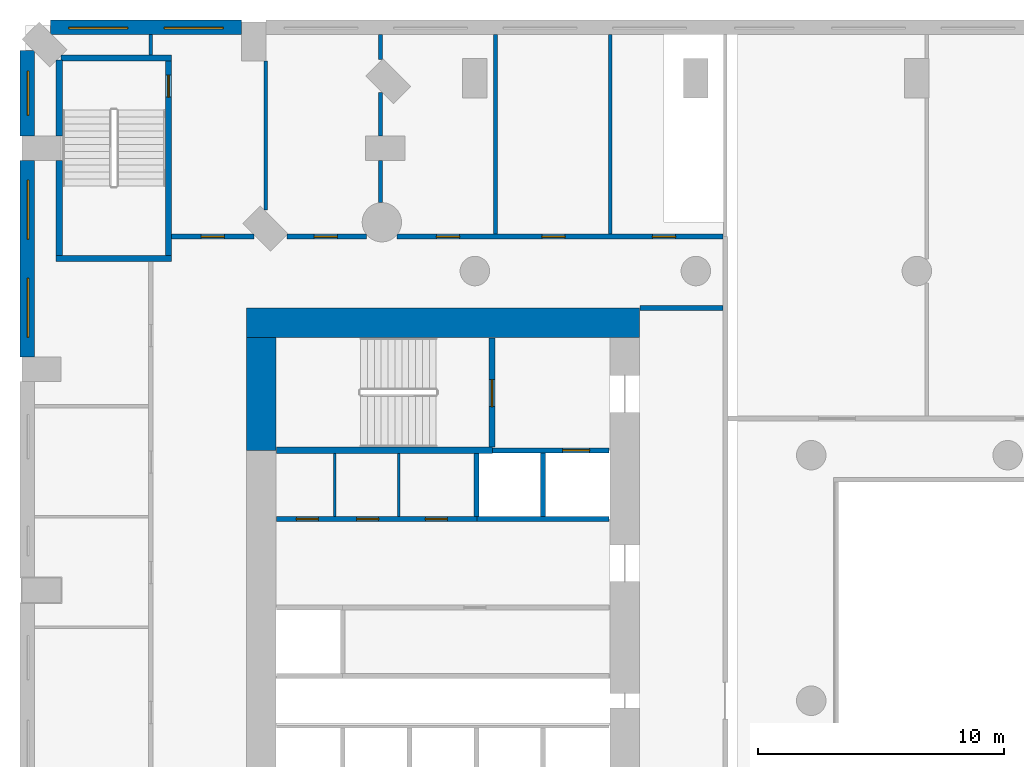
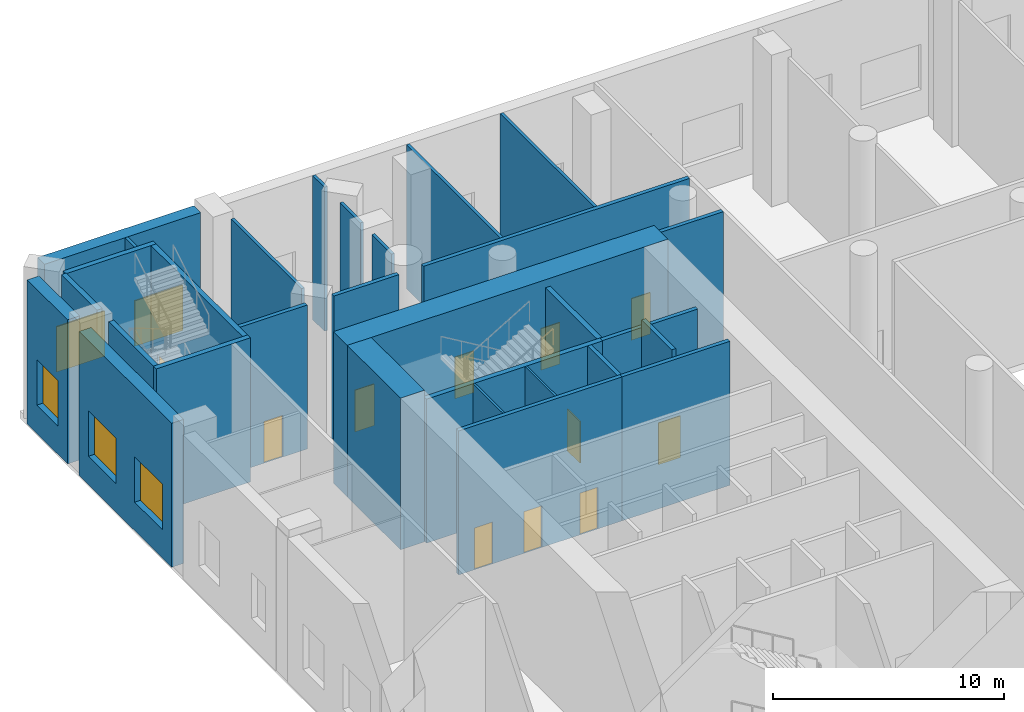
# One storey, part 6 of 18: 30 walls, 11 doors, 5 windows, 16 openings.
"""IFC4 building model written with IfcOpenShell, lengths in metres."""

from ifc_helpers import new_model, si_unit, direction, frame, frame_2d, origin, place, context, subcontext, project, spatial, rectangle, extrude, material, layer, layer_set, type_object, element, fill, save


model = new_model("IFC4")

# Units and contexts
model_context = context("Model", 3, precision=1e-05, world=origin(), true_north=direction((0.0, 1.0)))
body_context = subcontext(model_context, "Body", "Model", "MODEL_VIEW")
ifc_project = project(units=[si_unit("LENGTHUNIT", "METRE"), si_unit("AREAUNIT", "SQUARE_METRE"), si_unit("VOLUMEUNIT", "CUBIC_METRE"), si_unit("PLANEANGLEUNIT", "RADIAN"), si_unit("MASSUNIT", "GRAM", prefix="KILO")], contexts=[model_context])

# Site, building, storey
site_placement = place(None, origin())
site = spatial("IfcSite", under=ifc_project, at=site_placement, CompositionType="ELEMENT")
building_placement = place(site_placement, origin())
building = spatial("IfcBuilding", under=site, at=building_placement, Name="Cypress Arch Tower", CompositionType="ELEMENT")
storey_placement = place(building_placement, frame((0.0, 0.0, 36.0)))
storey = spatial("IfcBuildingStorey", under=building, at=storey_placement, Name="L04", CompositionType="ELEMENT", Elevation=36.0)

# Wall, openings, windows
ifc_material_1 = material(Name="Brick (red buff blend) on blockwork backing", Category="masonry")
ifc_layer_1 = layer(ifc_material_1, 0.60009765625)
ifc_layer_set_1 = layer_set([ifc_layer_1], Name="Brick base wall BW600")
wall_type_1 = type_object("IfcWallType", Name="Brick base wall BW600", PredefinedType="ELEMENTEDWALL", material=ifc_layer_set_1)
wall_1_placement = place(storey_placement, frame((-30.199951171875, 27.425048828125, 0.0), z_axis=(0.0, 0.0, 1.0), x_axis=(-1.0, 0.0, 0.0)))
wall_1 = element("IfcWall", 1, at=wall_1_placement, inside=storey, type_object=wall_type_1, Name="Brick wall L04 P03.6", PredefinedType="ELEMENTEDWALL", context=body_context, shape_type="SweptSolid", body=[
    extrude(rectangle(XDim=7.79296875, YDim=0.60009765625, at=frame_2d((3.896484375, 0.0))), origin(), (0.0, 0.0, 1.0), 7.60009765625),
])
opening_1_placement = place(wall_1_placement, frame((0.748291015625, 0.0, 1.5)))
opening_1 = element("IfcOpeningElement", 2, at=opening_1_placement, cuts=wall_1, Name="Opening W240P", PredefinedType="OPENING", context=body_context, shape_type="SweptSolid", body=[
    extrude(rectangle(XDim=2.39990234375, YDim=2.39990234375, at=frame_2d((1.199951171875, 1.199951171875))), frame((0.0, 0.31005859375, 0.0), z_axis=(0.0, -1.0, 0.0), x_axis=(1.0, 0.0, 0.0)), (0.0, 0.0, 1.0), 0.6201171875),
])
opening_2_placement = place(wall_1_placement, frame((4.644775390625, 0.0, 1.5)))
opening_2 = element("IfcOpeningElement", 3, at=opening_2_placement, cuts=wall_1, Name="Opening W240P", PredefinedType="OPENING", context=body_context, shape_type="SweptSolid", body=[
    extrude(rectangle(XDim=2.39990234375, YDim=2.39990234375, at=frame_2d((1.199951171875, 1.199951171875))), frame((0.0, 0.31005859375, 0.0), z_axis=(0.0, -1.0, 0.0), x_axis=(1.0, 0.0, 0.0)), (0.0, 0.0, 1.0), 0.6201171875),
])
ifc_material_2 = material(Name="Anodised aluminium, bronze finish, clear low-emissivity double glazing", Category="aluminium")
window_type_1 = type_object("IfcWindowType", Name="Window Podium 2400x2400", PartitioningType="SINGLE_PANEL", PredefinedType="WINDOW", material=ifc_material_2)
window_1_placement = place(opening_1_placement, origin())
window_1 = element("IfcWindow", 4, at=window_1_placement, inside=storey, type_object=window_type_1, Name="Window L04 P03.6.1", OverallHeight=2.39990234375, OverallWidth=2.39990234375, PartitioningType="SINGLE_PANEL", PredefinedType="WINDOW", context=body_context, shape_type="SweptSolid", body=[
    extrude(rectangle(XDim=2.39990234375, YDim=2.39990234375, at=frame_2d((1.199951171875, 1.199951171875))), frame((0.0, 0.06005859375, 0.0), z_axis=(0.0, -1.0, 0.0), x_axis=(1.0, 0.0, 0.0)), (0.0, 0.0, 1.0), 0.06005859375),
])
fill(opening_1, window_1)
window_2_placement = place(opening_2_placement, origin())
window_2 = element("IfcWindow", 5, at=window_2_placement, inside=storey, type_object=window_type_1, Name="Window L04 P03.6.2", OverallHeight=2.39990234375, OverallWidth=2.39990234375, PartitioningType="SINGLE_PANEL", PredefinedType="WINDOW", context=body_context, shape_type="SweptSolid", body=[
    extrude(rectangle(XDim=2.39990234375, YDim=2.39990234375, at=frame_2d((1.199951171875, 1.199951171875))), frame((0.0, 0.06005859375, 0.0), z_axis=(0.0, -1.0, 0.0), x_axis=(1.0, 0.0, 0.0)), (0.0, 0.0, 1.0), 0.06005859375),
])
fill(opening_2, window_2)

# Wall, opening, window
wall_2_placement = place(storey_placement, frame((-38.925048828125, 26.492919921875, 0.0), z_axis=(0.0, 0.0, 1.0), x_axis=(0.0, -1.0, 0.0)))
wall_2 = element("IfcWall", 6, at=wall_2_placement, inside=storey, type_object=wall_type_1, Name="Brick wall L04 P04.0", PredefinedType="ELEMENTEDWALL", context=body_context, shape_type="SweptSolid", body=[
    extrude(rectangle(XDim=3.492919921875, YDim=0.60009765625, at=frame_2d((1.74658203125, 0.0))), origin(), (0.0, 0.0, 1.0), 7.60009765625),
])
opening_3_placement = place(wall_2_placement, frame((0.846435546875, 0.0, 1.5)))
opening_3 = element("IfcOpeningElement", 7, at=opening_3_placement, cuts=wall_2, Name="Opening W180P", PredefinedType="OPENING", context=body_context, shape_type="SweptSolid", body=[
    extrude(rectangle(XDim=1.800048828125, YDim=2.39990234375, at=frame_2d((0.89990234375, 1.199951171875))), frame((0.0, 0.31005859375, 0.0), z_axis=(0.0, -1.0, 0.0), x_axis=(1.0, 0.0, 0.0)), (0.0, 0.0, 1.0), 0.6201171875),
])
ifc_material_3 = material(Name="Anodised aluminium, bronze finish, clear low-emissivity double glazing", Category="aluminium")
window_type_2 = type_object("IfcWindowType", Name="Window Podium 1800x2400", PartitioningType="SINGLE_PANEL", PredefinedType="WINDOW", material=ifc_material_3)
window_3_placement = place(opening_3_placement, origin())
window_3 = element("IfcWindow", 8, at=window_3_placement, inside=storey, type_object=window_type_2, Name="Window L04 P04.0.1", OverallHeight=2.39990234375, OverallWidth=1.800048828125, PartitioningType="SINGLE_PANEL", PredefinedType="WINDOW", context=body_context, shape_type="SweptSolid", body=[
    extrude(rectangle(XDim=1.800048828125, YDim=2.39990234375, at=frame_2d((0.89990234375, 1.199951171875))), frame((0.0, 0.06005859375, 0.0), z_axis=(0.0, -1.0, 0.0), x_axis=(1.0, 0.0, 0.0)), (0.0, 0.0, 1.0), 0.06005859375),
])
fill(opening_3, window_3)

# Wall, openings, windows
wall_3_placement = place(storey_placement, frame((-38.925048828125, 22.0, 0.0), z_axis=(0.0, 0.0, 1.0), x_axis=(0.0, -1.0, 0.0)))
wall_3 = element("IfcWall", 9, at=wall_3_placement, inside=storey, type_object=wall_type_1, Name="Brick wall L04 P04.1", PredefinedType="ELEMENTEDWALL", context=body_context, shape_type="SweptSolid", body=[
    extrude(rectangle(XDim=8.0, YDim=0.60009765625, at=frame_2d((4.0, 0.0))), origin(), (0.0, 0.0, 1.0), 7.60009765625),
])
opening_4_placement = place(wall_3_placement, frame((0.800048828125, 0.0, 1.5)))
opening_4 = element("IfcOpeningElement", 10, at=opening_4_placement, cuts=wall_3, Name="Opening W240P", PredefinedType="OPENING", context=body_context, shape_type="SweptSolid", body=[
    extrude(rectangle(XDim=2.39990234375, YDim=2.39990234375, at=frame_2d((1.199951171875, 1.199951171875))), frame((0.0, 0.31005859375, 0.0), z_axis=(0.0, -1.0, 0.0), x_axis=(1.0, 0.0, 0.0)), (0.0, 0.0, 1.0), 0.6201171875),
])
opening_5_placement = place(wall_3_placement, frame((4.800048828125, 0.0, 1.5)))
opening_5 = element("IfcOpeningElement", 11, at=opening_5_placement, cuts=wall_3, Name="Opening W240P", PredefinedType="OPENING", context=body_context, shape_type="SweptSolid", body=[
    extrude(rectangle(XDim=2.39990234375, YDim=2.39990234375, at=frame_2d((1.199951171875, 1.199951171875))), frame((0.0, 0.31005859375, 0.0), z_axis=(0.0, -1.0, 0.0), x_axis=(1.0, 0.0, 0.0)), (0.0, 0.0, 1.0), 0.6201171875),
])
window_4_placement = place(opening_4_placement, origin())
window_4 = element("IfcWindow", 12, at=window_4_placement, inside=storey, type_object=window_type_1, Name="Window L04 P04.1.1", OverallHeight=2.39990234375, OverallWidth=2.39990234375, PartitioningType="SINGLE_PANEL", PredefinedType="WINDOW", context=body_context, shape_type="SweptSolid", body=[
    extrude(rectangle(XDim=2.39990234375, YDim=2.39990234375, at=frame_2d((1.199951171875, 1.199951171875))), frame((0.0, 0.06005859375, 0.0), z_axis=(0.0, -1.0, 0.0), x_axis=(1.0, 0.0, 0.0)), (0.0, 0.0, 1.0), 0.06005859375),
])
fill(opening_4, window_4)
window_5_placement = place(opening_5_placement, origin())
window_5 = element("IfcWindow", 13, at=window_5_placement, inside=storey, type_object=window_type_1, Name="Window L04 P04.1.2", OverallHeight=2.39990234375, OverallWidth=2.39990234375, PartitioningType="SINGLE_PANEL", PredefinedType="WINDOW", context=body_context, shape_type="SweptSolid", body=[
    extrude(rectangle(XDim=2.39990234375, YDim=2.39990234375, at=frame_2d((1.199951171875, 1.199951171875))), frame((0.0, 0.06005859375, 0.0), z_axis=(0.0, -1.0, 0.0), x_axis=(1.0, 0.0, 0.0)), (0.0, 0.0, 1.0), 0.06005859375),
])
fill(opening_5, window_5)

# Walls
ifc_material_4 = material(Name="Concrete C80/95", Category="concrete")
ifc_layer_2 = layer(ifc_material_4, 1.199951171875)
ifc_layer_set_2 = layer_set([ifc_layer_2], Name="Core wall CW1200 C80/95")
wall_type_2 = type_object("IfcWallType", Name="Core wall CW1200 C80/95", PredefinedType="SHEAR", material=ifc_layer_set_2)
wall_4_placement = place(storey_placement, frame((-30.0, 15.39990234375, 0.0), z_axis=(0.0, 0.0, 1.0), x_axis=(1.0, 0.0, 0.0)))
element("IfcWall", 14, at=wall_4_placement, inside=storey, type_object=wall_type_2, Name="Core wall", PredefinedType="SHEAR", context=body_context, shape_type="SweptSolid", body=[
    extrude(rectangle(XDim=16.0, YDim=1.199951171875, at=frame_2d((8.0, 0.0))), origin(), (0.0, 0.0, 1.0), 8.0),
])
wall_5_placement = place(storey_placement, frame((-29.39990234375, 10.199951171875, 0.0), z_axis=(0.0, 0.0, 1.0), x_axis=(0.0, 1.0, 0.0)))
element("IfcWall", 15, at=wall_5_placement, inside=storey, type_object=wall_type_2, Name="Core wall", PredefinedType="SHEAR", context=body_context, shape_type="SweptSolid", body=[
    extrude(rectangle(XDim=4.60009765625, YDim=1.199951171875, at=frame_2d((2.300048828125, 0.0))), origin(), (0.0, 0.0, 1.0), 8.0),
])

# Wall, opening, door
ifc_material_5 = material(Name="Concrete blockwork, plastered, rated", Category="masonry")
ifc_layer_3 = layer(ifc_material_5, 0.199951171875)
ifc_layer_set_3 = layer_set([ifc_layer_3], Name="Corridor wall FW200")
wall_type_3 = type_object("IfcWallType", Name="Corridor wall FW200", PredefinedType="PARTITIONING", material=ifc_layer_set_3)
wall_6_placement = place(storey_placement, frame((-33.050048828125, 18.89990234375, 0.0), z_axis=(0.0, 0.0, 1.0), x_axis=(1.0, 0.0, 0.0)))
wall_6 = element("IfcWall", 16, at=wall_6_placement, inside=storey, type_object=wall_type_3, Name="Corridor wall", PredefinedType="PARTITIONING", context=body_context, shape_type="SweptSolid", body=[
    extrude(rectangle(XDim=3.363037109375, YDim=0.199951171875, at=frame_2d((1.681640625, 0.0))), origin(), (0.0, 0.0, 1.0), 7.597900390625),
])
opening_6_placement = place(wall_6_placement, frame((1.199951171875, 0.0, 0.0)))
opening_6 = element("IfcOpeningElement", 17, at=opening_6_placement, cuts=wall_6, Name="Opening D02", PredefinedType="OPENING", context=body_context, shape_type="SweptSolid", body=[
    extrude(rectangle(XDim=0.949951171875, YDim=2.199951171875, at=frame_2d((0.47509765625, 1.10009765625))), frame((0.0, 0.10986328125, 0.0), z_axis=(0.0, -1.0, 0.0), x_axis=(1.0, 0.0, 0.0)), (0.0, 0.0, 1.0), 0.219970703125),
])
ifc_material_6 = material(Name="Timber flush door, fire resisting", Category="wood")
door_type_1 = type_object("IfcDoorType", Name="Room door D02 950x2200", OperationType="SINGLE_SWING_LEFT", PredefinedType="DOOR", material=ifc_material_6)
door_1_placement = place(opening_6_placement, origin())
door_1 = element("IfcDoor", 18, at=door_1_placement, inside=storey, type_object=door_type_1, Name="Room door", OperationType="SINGLE_SWING_RIGHT", OverallHeight=2.199951171875, OverallWidth=0.949951171875, PredefinedType="DOOR", context=body_context, shape_type="SweptSolid", body=[
    extrude(rectangle(XDim=0.949951171875, YDim=2.199951171875, at=frame_2d((0.47509765625, 1.10009765625))), frame((0.0, 0.02490234375, 0.0), z_axis=(0.0, -1.0, 0.0), x_axis=(1.0, 0.0, 0.0)), (0.0, 0.0, 1.0), 0.050048828125),
])
fill(opening_6, door_1)

wall_7_placement = place(storey_placement, frame((-28.35009765625, 18.89990234375, 0.0), z_axis=(0.0, 0.0, 1.0), x_axis=(1.0, 0.0, 0.0)))
wall_7 = element("IfcWall", 19, at=wall_7_placement, inside=storey, type_object=wall_type_3, Name="Corridor wall", PredefinedType="PARTITIONING", context=body_context, shape_type="SweptSolid", body=[
    extrude(rectangle(XDim=3.24365234375, YDim=0.199951171875, at=frame_2d((1.621826171875, 0.0))), origin(), (0.0, 0.0, 1.0), 7.597900390625),
])
opening_7_placement = place(wall_7_placement, frame((1.10009765625, 0.0, 0.0)))
opening_7 = element("IfcOpeningElement", 20, at=opening_7_placement, cuts=wall_7, Name="Opening D02", PredefinedType="OPENING", context=body_context, shape_type="SweptSolid", body=[
    extrude(rectangle(XDim=0.949951171875, YDim=2.199951171875, at=frame_2d((0.47509765625, 1.10009765625))), frame((0.0, 0.10986328125, 0.0), z_axis=(0.0, -1.0, 0.0), x_axis=(1.0, 0.0, 0.0)), (0.0, 0.0, 1.0), 0.219970703125),
])
door_2_placement = place(opening_7_placement, origin())
door_2 = element("IfcDoor", 21, at=door_2_placement, inside=storey, type_object=door_type_1, Name="Room door", OperationType="SINGLE_SWING_RIGHT", OverallHeight=2.199951171875, OverallWidth=0.949951171875, PredefinedType="DOOR", context=body_context, shape_type="SweptSolid", body=[
    extrude(rectangle(XDim=0.949951171875, YDim=2.199951171875, at=frame_2d((0.47509765625, 1.10009765625))), frame((0.0, 0.02490234375, 0.0), z_axis=(0.0, -1.0, 0.0), x_axis=(1.0, 0.0, 0.0)), (0.0, 0.0, 1.0), 0.050048828125),
])
fill(opening_7, door_2)

# Wall, openings, doors
wall_8_placement = place(storey_placement, frame((-23.869140625, 18.89990234375, 0.0), z_axis=(0.0, 0.0, 1.0), x_axis=(1.0, 0.0, 0.0)))
wall_8 = element("IfcWall", 22, at=wall_8_placement, inside=storey, type_object=wall_type_3, Name="Corridor wall", PredefinedType="PARTITIONING", context=body_context, shape_type="SweptSolid", body=[
    extrude(rectangle(XDim=13.26904296875, YDim=0.199951171875, at=frame_2d((6.634521484375, 0.0))), origin(), (0.0, 0.0, 1.0), 7.597900390625),
])
opening_8_placement = place(wall_8_placement, frame((1.60009765625, 0.0, 0.0)))
opening_8 = element("IfcOpeningElement", 23, at=opening_8_placement, cuts=wall_8, Name="Opening D02", PredefinedType="OPENING", context=body_context, shape_type="SweptSolid", body=[
    extrude(rectangle(XDim=0.949951171875, YDim=2.199951171875, at=frame_2d((0.47509765625, 1.10009765625))), frame((0.0, 0.10986328125, 0.0), z_axis=(0.0, -1.0, 0.0), x_axis=(1.0, 0.0, 0.0)), (0.0, 0.0, 1.0), 0.219970703125),
])
opening_9_placement = place(wall_8_placement, frame((5.89990234375, 0.0, 0.0)))
opening_9 = element("IfcOpeningElement", 24, at=opening_9_placement, cuts=wall_8, Name="Opening D02", PredefinedType="OPENING", context=body_context, shape_type="SweptSolid", body=[
    extrude(rectangle(XDim=0.949951171875, YDim=2.199951171875, at=frame_2d((0.47509765625, 1.10009765625))), frame((0.0, 0.10986328125, 0.0), z_axis=(0.0, -1.0, 0.0), x_axis=(1.0, 0.0, 0.0)), (0.0, 0.0, 1.0), 0.219970703125),
])
opening_10_placement = place(wall_8_placement, frame((10.39990234375, 0.0, 0.0)))
opening_10 = element("IfcOpeningElement", 25, at=opening_10_placement, cuts=wall_8, Name="Opening D02", PredefinedType="OPENING", context=body_context, shape_type="SweptSolid", body=[
    extrude(rectangle(XDim=0.949951171875, YDim=2.199951171875, at=frame_2d((0.47509765625, 1.10009765625))), frame((0.0, 0.10986328125, 0.0), z_axis=(0.0, -1.0, 0.0), x_axis=(1.0, 0.0, 0.0)), (0.0, 0.0, 1.0), 0.219970703125),
])
door_3_placement = place(opening_8_placement, origin())
door_3 = element("IfcDoor", 26, at=door_3_placement, inside=storey, type_object=door_type_1, Name="Room door", OperationType="SINGLE_SWING_RIGHT", OverallHeight=2.199951171875, OverallWidth=0.949951171875, PredefinedType="DOOR", context=body_context, shape_type="SweptSolid", body=[
    extrude(rectangle(XDim=0.949951171875, YDim=2.199951171875, at=frame_2d((0.47509765625, 1.10009765625))), frame((0.0, 0.02490234375, 0.0), z_axis=(0.0, -1.0, 0.0), x_axis=(1.0, 0.0, 0.0)), (0.0, 0.0, 1.0), 0.050048828125),
])
fill(opening_8, door_3)
door_4_placement = place(opening_9_placement, origin())
door_4 = element("IfcDoor", 27, at=door_4_placement, inside=storey, type_object=door_type_1, Name="Room door", OperationType="SINGLE_SWING_RIGHT", OverallHeight=2.199951171875, OverallWidth=0.949951171875, PredefinedType="DOOR", context=body_context, shape_type="SweptSolid", body=[
    extrude(rectangle(XDim=0.949951171875, YDim=2.199951171875, at=frame_2d((0.47509765625, 1.10009765625))), frame((0.0, 0.02490234375, 0.0), z_axis=(0.0, -1.0, 0.0), x_axis=(1.0, 0.0, 0.0)), (0.0, 0.0, 1.0), 0.050048828125),
])
fill(opening_9, door_4)
door_5_placement = place(opening_10_placement, origin())
door_5 = element("IfcDoor", 28, at=door_5_placement, inside=storey, type_object=door_type_1, Name="Room door", OperationType="SINGLE_SWING_LEFT", OverallHeight=2.199951171875, OverallWidth=0.949951171875, PredefinedType="DOOR", context=body_context, shape_type="SweptSolid", body=[
    extrude(rectangle(XDim=0.949951171875, YDim=2.199951171875, at=frame_2d((0.47509765625, 1.10009765625))), frame((0.0, 0.02490234375, 0.0), z_axis=(0.0, -1.0, 0.0), x_axis=(1.0, 0.0, 0.0)), (0.0, 0.0, 1.0), 0.050048828125),
])
fill(opening_10, door_5)

wall_9_placement = place(storey_placement, frame((-28.77001953125, 7.39990234375, 0.0), z_axis=(0.0, 0.0, 1.0), x_axis=(1.0, 0.0, 0.0)))
wall_9 = element("IfcWall", 29, at=wall_9_placement, inside=storey, type_object=wall_type_3, Name="Corridor wall", PredefinedType="PARTITIONING", context=body_context, shape_type="SweptSolid", body=[
    extrude(rectangle(XDim=8.14990234375, YDim=0.199951171875, at=frame_2d((4.074951171875, 0.0))), origin(), (0.0, 0.0, 1.0), 7.597900390625),
])
opening_11_placement = place(wall_9_placement, frame((0.800048828125, 0.0, 0.0)))
opening_11 = element("IfcOpeningElement", 30, at=opening_11_placement, cuts=wall_9, Name="Opening D05", PredefinedType="OPENING", context=body_context, shape_type="SweptSolid", body=[
    extrude(rectangle(XDim=0.89990234375, YDim=2.199951171875, at=frame_2d((0.449951171875, 1.10009765625))), frame((0.0, 0.10986328125, 0.0), z_axis=(0.0, -1.0, 0.0), x_axis=(1.0, 0.0, 0.0)), (0.0, 0.0, 1.0), 0.219970703125),
])
opening_12_placement = place(wall_9_placement, frame((3.25, 0.0, 0.0)))
opening_12 = element("IfcOpeningElement", 31, at=opening_12_placement, cuts=wall_9, Name="Opening D05", PredefinedType="OPENING", context=body_context, shape_type="SweptSolid", body=[
    extrude(rectangle(XDim=0.89990234375, YDim=2.199951171875, at=frame_2d((0.449951171875, 1.10009765625))), frame((0.0, 0.10986328125, 0.0), z_axis=(0.0, -1.0, 0.0), x_axis=(1.0, 0.0, 0.0)), (0.0, 0.0, 1.0), 0.219970703125),
])
opening_13_placement = place(wall_9_placement, frame((6.050048828125, 0.0, 0.0)))
opening_13 = element("IfcOpeningElement", 32, at=opening_13_placement, cuts=wall_9, Name="Opening D05", PredefinedType="OPENING", context=body_context, shape_type="SweptSolid", body=[
    extrude(rectangle(XDim=0.89990234375, YDim=2.199951171875, at=frame_2d((0.449951171875, 1.10009765625))), frame((0.0, 0.10986328125, 0.0), z_axis=(0.0, -1.0, 0.0), x_axis=(1.0, 0.0, 0.0)), (0.0, 0.0, 1.0), 0.219970703125),
])
ifc_material_7 = material(Name="Timber flush door", Category="wood")
door_type_2 = type_object("IfcDoorType", Name="Service door D05 900x2200", OperationType="SINGLE_SWING_LEFT", PredefinedType="DOOR", material=ifc_material_7)
door_6_placement = place(opening_11_placement, origin())
door_6 = element("IfcDoor", 33, at=door_6_placement, inside=storey, type_object=door_type_2, Name="Service door", OperationType="SINGLE_SWING_RIGHT", OverallHeight=2.199951171875, OverallWidth=0.89990234375, PredefinedType="DOOR", context=body_context, shape_type="SweptSolid", body=[
    extrude(rectangle(XDim=0.89990234375, YDim=2.199951171875, at=frame_2d((0.449951171875, 1.10009765625))), frame((0.0, 0.02490234375, 0.0), z_axis=(0.0, -1.0, 0.0), x_axis=(1.0, 0.0, 0.0)), (0.0, 0.0, 1.0), 0.050048828125),
])
fill(opening_11, door_6)
door_7_placement = place(opening_12_placement, origin())
door_7 = element("IfcDoor", 34, at=door_7_placement, inside=storey, type_object=door_type_2, Name="Service door", OperationType="SINGLE_SWING_RIGHT", OverallHeight=2.199951171875, OverallWidth=0.89990234375, PredefinedType="DOOR", context=body_context, shape_type="SweptSolid", body=[
    extrude(rectangle(XDim=0.89990234375, YDim=2.199951171875, at=frame_2d((0.449951171875, 1.10009765625))), frame((0.0, 0.02490234375, 0.0), z_axis=(0.0, -1.0, 0.0), x_axis=(1.0, 0.0, 0.0)), (0.0, 0.0, 1.0), 0.050048828125),
])
fill(opening_12, door_7)
door_8_placement = place(opening_13_placement, origin())
door_8 = element("IfcDoor", 35, at=door_8_placement, inside=storey, type_object=door_type_2, Name="Service door", OperationType="SINGLE_SWING_LEFT", OverallHeight=2.199951171875, OverallWidth=0.89990234375, PredefinedType="DOOR", context=body_context, shape_type="SweptSolid", body=[
    extrude(rectangle(XDim=0.89990234375, YDim=2.199951171875, at=frame_2d((0.449951171875, 1.10009765625))), frame((0.0, 0.02490234375, 0.0), z_axis=(0.0, -1.0, 0.0), x_axis=(1.0, 0.0, 0.0)), (0.0, 0.0, 1.0), 0.050048828125),
])
fill(opening_13, door_8)

# Walls
wall_10_placement = place(storey_placement, frame((-13.969970703125, 16.0, 0.0), z_axis=(0.0, 0.0, 1.0), x_axis=(1.0, 0.0, 0.0)))
element("IfcWall", 36, at=wall_10_placement, inside=storey, type_object=wall_type_3, Name="Corridor wall", PredefinedType="PARTITIONING", context=body_context, shape_type="SweptSolid", body=[
    extrude(rectangle(XDim=3.369873046875, YDim=0.199951171875, at=frame_2d((1.68505859375, 0.0))), origin(), (0.0, 0.0, 1.0), 7.597900390625),
])
ifc_material_8 = material(Name="Blockwork, plastered both sides", Category="masonry")
ifc_layer_4 = layer(ifc_material_8, 0.14990234375)
ifc_layer_set_4 = layer_set([ifc_layer_4], Name="Partition PW150")
wall_type_4 = type_object("IfcWallType", Name="Partition PW150", PredefinedType="PARTITIONING", material=ifc_layer_set_4)
wall_11_placement = place(storey_placement, frame((-33.89990234375, 26.300048828125, 0.0), z_axis=(0.0, 0.0, 1.0), x_axis=(0.0, 1.0, 0.0)))
element("IfcWall", 37, at=wall_11_placement, inside=storey, type_object=wall_type_4, Name="Partition", PredefinedType="PARTITIONING", context=body_context, shape_type="SweptSolid", body=[
    extrude(rectangle(XDim=0.824951171875, YDim=0.14990234375, at=frame_2d((0.41259765625, 0.0))), origin(), (0.0, 0.0, 1.0), 7.597900390625),
])
wall_12_placement = place(storey_placement, frame((-29.219970703125, 19.987060546875, 0.0), z_axis=(0.0, 0.0, 1.0), x_axis=(0.0, 1.0, 0.0)))
element("IfcWall", 38, at=wall_12_placement, inside=storey, type_object=wall_type_4, Name="Partition", PredefinedType="PARTITIONING", context=body_context, shape_type="SweptSolid", body=[
    extrude(rectangle(XDim=6.06298828125, YDim=0.14990234375, at=frame_2d((3.031494140625, 0.0))), origin(), (0.0, 0.0, 1.0), 7.597900390625),
])
wall_13_placement = place(storey_placement, frame((-24.5400390625, 20.292724609375, 0.0), z_axis=(0.0, 0.0, 1.0), x_axis=(0.0, 1.0, 0.0)))
element("IfcWall", 39, at=wall_13_placement, inside=storey, type_object=wall_type_4, Name="Partition", PredefinedType="PARTITIONING", context=body_context, shape_type="SweptSolid", body=[
    extrude(rectangle(XDim=1.707275390625, YDim=0.14990234375, at=frame_2d((0.853515625, 0.0))), origin(), (0.0, 0.0, 1.0), 7.597900390625),
])
wall_14_placement = place(storey_placement, frame((-24.5400390625, 23.0, 0.0), z_axis=(0.0, 0.0, 1.0), x_axis=(0.0, 1.0, 0.0)))
element("IfcWall", 40, at=wall_14_placement, inside=storey, type_object=wall_type_4, Name="Partition", PredefinedType="PARTITIONING", context=body_context, shape_type="SweptSolid", body=[
    extrude(rectangle(XDim=1.77294921875, YDim=0.14990234375, at=frame_2d((0.886474609375, 0.0))), origin(), (0.0, 0.0, 1.0), 7.597900390625),
])
wall_15_placement = place(storey_placement, frame((-24.5400390625, 26.11279296875, 0.0), z_axis=(0.0, 0.0, 1.0), x_axis=(0.0, 1.0, 0.0)))
element("IfcWall", 41, at=wall_15_placement, inside=storey, type_object=wall_type_4, Name="Partition", PredefinedType="PARTITIONING", context=body_context, shape_type="SweptSolid", body=[
    extrude(rectangle(XDim=1.01220703125, YDim=0.14990234375, at=frame_2d((0.506103515625, 0.0))), origin(), (0.0, 0.0, 1.0), 7.597900390625),
])
for number, where, z_axis, x_axis, name in (
    (42, (-19.860107421875, 19.0, 0.0), (0.0, 0.0, 1.0), (0.0, 1.0, 0.0), "Partition"),
    (43, (-15.179931640625, 19.0, 0.0), (0.0, 0.0, 1.0), (0.0, 1.0, 0.0), "Partition"),
):
    element("IfcWall", number, at=place(storey_placement, frame(where, z_axis=z_axis, x_axis=x_axis)), inside=storey, type_object=wall_type_4, Name=name, PredefinedType="PARTITIONING", context=body_context, shape_type="SweptSolid", body=[
        extrude(rectangle(XDim=8.125, YDim=0.14990234375, at=frame_2d((4.0625, 0.0))), origin(), (0.0, 0.0, 1.0), 7.597900390625),
    ])
ifc_material_9 = material(Name="Concrete C50/60", Category="concrete")
ifc_layer_5 = layer(ifc_material_9, 0.199951171875)
ifc_layer_set_5 = layer_set([ifc_layer_5], Name="Shaft wall SH200")
wall_type_5 = type_object("IfcWallType", Name="Shaft wall SH200", PredefinedType="SHEAR", material=ifc_layer_set_5)
wall_16_placement = place(storey_placement, frame((-20.639892578125, 7.5, 0.0), z_axis=(0.0, 0.0, 1.0), x_axis=(0.0, 1.0, 0.0)))
element("IfcWall", 44, at=wall_16_placement, inside=storey, type_object=wall_type_5, Name="Shaft wall", PredefinedType="SHEAR", context=body_context, shape_type="SweptSolid", body=[
    extrude(rectangle(XDim=2.574951171875, YDim=0.199951171875, at=frame_2d((1.28759765625, 0.0))), origin(), (0.0, 0.0, 1.0), 7.597900390625),
])
wall_17_placement = place(storey_placement, frame((-20.6201171875, 7.39990234375, 0.0), z_axis=(0.0, 0.0, 1.0), x_axis=(1.0, 0.0, 0.0)))
element("IfcWall", 45, at=wall_17_placement, inside=storey, type_object=wall_type_5, Name="Shaft wall", PredefinedType="SHEAR", context=body_context, shape_type="SweptSolid", body=[
    extrude(rectangle(XDim=5.39013671875, YDim=0.199951171875, at=frame_2d((2.695068359375, 0.0))), origin(), (0.0, 0.0, 1.0), 7.597900390625),
])

# Wall, opening, door
wall_18_placement = place(storey_placement, frame((-19.97998046875, 10.199951171875, 0.0), z_axis=(0.0, 0.0, 1.0), x_axis=(1.0, 0.0, 0.0)))
wall_18 = element("IfcWall", 46, at=wall_18_placement, inside=storey, type_object=wall_type_5, Name="Shaft wall", PredefinedType="SHEAR", context=body_context, shape_type="SweptSolid", body=[
    extrude(rectangle(XDim=4.75, YDim=0.199951171875, at=frame_2d((2.375, 0.0))), origin(), (0.0, 0.0, 1.0), 7.597900390625),
])
opening_14_placement = place(wall_18_placement, frame((2.85009765625, 0.0, 0.0)))
opening_14 = element("IfcOpeningElement", 47, at=opening_14_placement, cuts=wall_18, Name="Opening LD-FL2", PredefinedType="OPENING", context=body_context, shape_type="SweptSolid", body=[
    extrude(rectangle(XDim=1.10009765625, YDim=2.199951171875, at=frame_2d((0.550048828125, 1.10009765625))), frame((0.0, 0.10986328125, 0.0), z_axis=(0.0, -1.0, 0.0), x_axis=(1.0, 0.0, 0.0)), (0.0, 0.0, 1.0), 0.219970703125),
])
ifc_material_10 = material(Name="Stainless steel centre-opening landing door, rated", Category="steel")
door_type_3 = type_object("IfcDoorType", Name="Lift landing door LD 1100x2200", OperationType="DOUBLE_DOOR_SLIDING", PredefinedType="DOOR", material=ifc_material_10)
door_9_placement = place(opening_14_placement, origin())
door_9 = element("IfcDoor", 48, at=door_9_placement, inside=storey, type_object=door_type_3, Name="Lift landing doors FL2", OperationType="DOUBLE_DOOR_SLIDING", OverallHeight=2.199951171875, OverallWidth=1.10009765625, PredefinedType="DOOR", context=body_context, shape_type="SweptSolid", body=[
    extrude(rectangle(XDim=1.10009765625, YDim=2.199951171875, at=frame_2d((0.550048828125, 1.10009765625))), frame((0.0, 0.02490234375, 0.0), z_axis=(0.0, -1.0, 0.0), x_axis=(1.0, 0.0, 0.0)), (0.0, 0.0, 1.0), 0.050048828125),
])
fill(opening_14, door_9)

# Walls
wall_19_placement = place(storey_placement, frame((-17.919921875, 7.5, 0.0), z_axis=(0.0, 0.0, 1.0), x_axis=(0.0, 1.0, 0.0)))
element("IfcWall", 49, at=wall_19_placement, inside=storey, type_object=wall_type_5, Name="Shaft wall", PredefinedType="SHEAR", context=body_context, shape_type="SweptSolid", body=[
    extrude(rectangle(XDim=2.60009765625, YDim=0.199951171875, at=frame_2d((1.300048828125, 0.0))), origin(), (0.0, 0.0, 1.0), 8.0),
])
ifc_material_11 = material(Name="Concrete C50/60", Category="concrete")
ifc_layer_6 = layer(ifc_material_11, 0.25)
ifc_layer_set_6 = layer_set([ifc_layer_6], Name="Stair enclosure wall SW250")
wall_type_6 = type_object("IfcWallType", Name="Stair enclosure wall SW250", PredefinedType="SHEAR", material=ifc_layer_set_6)
wall_20_placement = place(storey_placement, frame((-37.625, 18.1298828125, 0.0), z_axis=(0.0, 0.0, 1.0), x_axis=(0.0, 1.0, 0.0)))
element("IfcWall", 50, at=wall_20_placement, inside=storey, type_object=wall_type_6, Name="Stair enclosure wall", PredefinedType="SHEAR", context=body_context, shape_type="SweptSolid", body=[
    extrude(rectangle(XDim=3.8701171875, YDim=0.25, at=frame_2d((1.93505859375, 0.0))), origin(), (0.0, 0.0, 1.0), 7.60009765625),
])
wall_21_placement = place(storey_placement, frame((-37.625, 23.0, 0.0), z_axis=(0.0, 0.0, 1.0), x_axis=(0.0, 1.0, 0.0)))
element("IfcWall", 51, at=wall_21_placement, inside=storey, type_object=wall_type_6, Name="Stair enclosure wall", PredefinedType="SHEAR", context=body_context, shape_type="SweptSolid", body=[
    extrude(rectangle(XDim=3.09521484375, YDim=0.25, at=frame_2d((1.547607421875, 0.0))), origin(), (0.0, 0.0, 1.0), 7.60009765625),
])
wall_22_placement = place(storey_placement, frame((-37.75, 18.0048828125, 0.0), z_axis=(0.0, 0.0, 1.0), x_axis=(1.0, 0.0, 0.0)))
element("IfcWall", 52, at=wall_22_placement, inside=storey, type_object=wall_type_6, Name="Stair enclosure wall", PredefinedType="SHEAR", context=body_context, shape_type="SweptSolid", body=[
    extrude(rectangle(XDim=4.699951171875, YDim=0.25, at=frame_2d((2.35009765625, 0.0))), origin(), (0.0, 0.0, 1.0), 7.60009765625),
])
wall_23_placement = place(storey_placement, frame((-37.545166015625, 26.175048828125, 0.0), z_axis=(0.0, 0.0, 1.0), x_axis=(1.0, 0.0, 0.0)))
element("IfcWall", 53, at=wall_23_placement, inside=storey, type_object=wall_type_6, Name="Stair enclosure wall", PredefinedType="SHEAR", context=body_context, shape_type="SweptSolid", body=[
    extrude(rectangle(XDim=4.4951171875, YDim=0.25, at=frame_2d((2.24755859375, 0.0))), origin(), (0.0, 0.0, 1.0), 7.60009765625),
])

# Wall, opening, door
wall_24_placement = place(storey_placement, frame((-33.175048828125, 18.1298828125, 0.0), z_axis=(0.0, 0.0, 1.0), x_axis=(0.0, 1.0, 0.0)))
wall_24 = element("IfcWall", 54, at=wall_24_placement, inside=storey, type_object=wall_type_6, Name="Stair enclosure wall", PredefinedType="SHEAR", context=body_context, shape_type="SweptSolid", body=[
    extrude(rectangle(XDim=7.920166015625, YDim=0.25, at=frame_2d((3.9599609375, 0.0))), origin(), (0.0, 0.0, 1.0), 7.60009765625),
])
opening_15_placement = place(wall_24_placement, frame((6.449951171875, 0.0, 0.0)))
opening_15 = element("IfcOpeningElement", 55, at=opening_15_placement, cuts=wall_24, Name="Opening D15", PredefinedType="OPENING", context=body_context, shape_type="SweptSolid", body=[
    extrude(rectangle(XDim=0.89990234375, YDim=2.199951171875, at=frame_2d((0.449951171875, 1.10009765625))), frame((0.0, 0.135009765625, 0.0), z_axis=(0.0, -1.0, 0.0), x_axis=(1.0, 0.0, 0.0)), (0.0, 0.0, 1.0), 0.27001953125),
])
ifc_material_12 = material(Name="Steel door, fire resisting, panic bar", Category="steel")
door_type_4 = type_object("IfcDoorType", Name="Stair door D15 900x2200", OperationType="SINGLE_SWING_LEFT", PredefinedType="DOOR", material=ifc_material_12)
door_10_placement = place(opening_15_placement, origin())
door_10 = element("IfcDoor", 56, at=door_10_placement, inside=storey, type_object=door_type_4, Name="Stair door", OperationType="SINGLE_SWING_RIGHT", OverallHeight=2.199951171875, OverallWidth=0.89990234375, PredefinedType="DOOR", context=body_context, shape_type="SweptSolid", body=[
    extrude(rectangle(XDim=0.89990234375, YDim=2.199951171875, at=frame_2d((0.449951171875, 1.10009765625))), frame((0.0, 0.02490234375, 0.0), z_axis=(0.0, -1.0, 0.0), x_axis=(1.0, 0.0, 0.0)), (0.0, 0.0, 1.0), 0.050048828125),
])
fill(opening_15, door_10)

# Wall
wall_25_placement = place(storey_placement, frame((-28.77001953125, 10.199951171875, 0.0), z_axis=(0.0, 0.0, 1.0), x_axis=(1.0, 0.0, 0.0)))
element("IfcWall", 57, at=wall_25_placement, inside=storey, type_object=wall_type_6, Name="Stair enclosure wall", PredefinedType="SHEAR", context=body_context, shape_type="SweptSolid", body=[
    extrude(rectangle(XDim=8.7900390625, YDim=0.25, at=frame_2d((4.39501953125, 0.0))), origin(), (0.0, 0.0, 1.0), 7.597900390625),
])

# Wall, opening, door
wall_26_placement = place(storey_placement, frame((-20.0, 10.324951171875, 0.0), z_axis=(0.0, 0.0, 1.0), x_axis=(0.0, 1.0, 0.0)))
wall_26 = element("IfcWall", 58, at=wall_26_placement, inside=storey, type_object=wall_type_6, Name="Stair enclosure wall", PredefinedType="SHEAR", context=body_context, shape_type="SweptSolid", body=[
    extrude(rectangle(XDim=4.445068359375, YDim=0.25, at=frame_2d((2.22265625, 0.0))), origin(), (0.0, 0.0, 1.0), 7.597900390625),
])
opening_16_placement = place(wall_26_placement, frame((1.64990234375, 0.0, 0.0)))
opening_16 = element("IfcOpeningElement", 59, at=opening_16_placement, cuts=wall_26, Name="Opening D06", PredefinedType="OPENING", context=body_context, shape_type="SweptSolid", body=[
    extrude(rectangle(XDim=1.10009765625, YDim=2.199951171875, at=frame_2d((0.550048828125, 1.10009765625))), frame((0.0, 0.135009765625, 0.0), z_axis=(0.0, -1.0, 0.0), x_axis=(1.0, 0.0, 0.0)), (0.0, 0.0, 1.0), 0.27001953125),
])
ifc_material_13 = material(Name="Steel door, fire resisting, panic bar", Category="steel")
door_type_5 = type_object("IfcDoorType", Name="Stair door D06 1100x2200", OperationType="SINGLE_SWING_LEFT", PredefinedType="DOOR", material=ifc_material_13)
door_11_placement = place(opening_16_placement, origin())
door_11 = element("IfcDoor", 60, at=door_11_placement, inside=storey, type_object=door_type_5, Name="Stair door", OperationType="SINGLE_SWING_LEFT", OverallHeight=2.199951171875, OverallWidth=1.10009765625, PredefinedType="DOOR", context=body_context, shape_type="SweptSolid", body=[
    extrude(rectangle(XDim=1.10009765625, YDim=2.199951171875, at=frame_2d((0.550048828125, 1.10009765625))), frame((0.0, 0.02490234375, 0.0), z_axis=(0.0, -1.0, 0.0), x_axis=(1.0, 0.0, 0.0)), (0.0, 0.0, 1.0), 0.050048828125),
])
fill(opening_16, door_11)

# Walls
ifc_material_14 = material(Name="Moisture resistant board on steel studs, tiled", Category="steel")
ifc_layer_7 = layer(ifc_material_14, 0.10009765625)
ifc_layer_set_7 = layer_set([ifc_layer_7], Name="Wet wall PW100")
wall_type_7 = type_object("IfcWallType", Name="Wet wall PW100", PredefinedType="PARTITIONING", material=ifc_layer_set_7)
for number, where, z_axis, x_axis, name in (
    (61, (-26.39990234375, 7.5, 0.0), (0.0, 0.0, 1.0), (0.0, 1.0, 0.0), "Wet wall"),
    (62, (-23.800048828125, 7.5, 0.0), (0.0, 0.0, 1.0), (0.0, 1.0, 0.0), "Wet wall"),
):
    element("IfcWall", number, at=place(storey_placement, frame(where, z_axis=z_axis, x_axis=x_axis)), inside=storey, type_object=wall_type_7, Name=name, PredefinedType="PARTITIONING", context=body_context, shape_type="SweptSolid", body=[
        extrude(rectangle(XDim=2.574951171875, YDim=0.10009765625, at=frame_2d((1.28759765625, 0.0))), origin(), (0.0, 0.0, 1.0), 7.597900390625),
    ])

save(model, "model.ifc")
